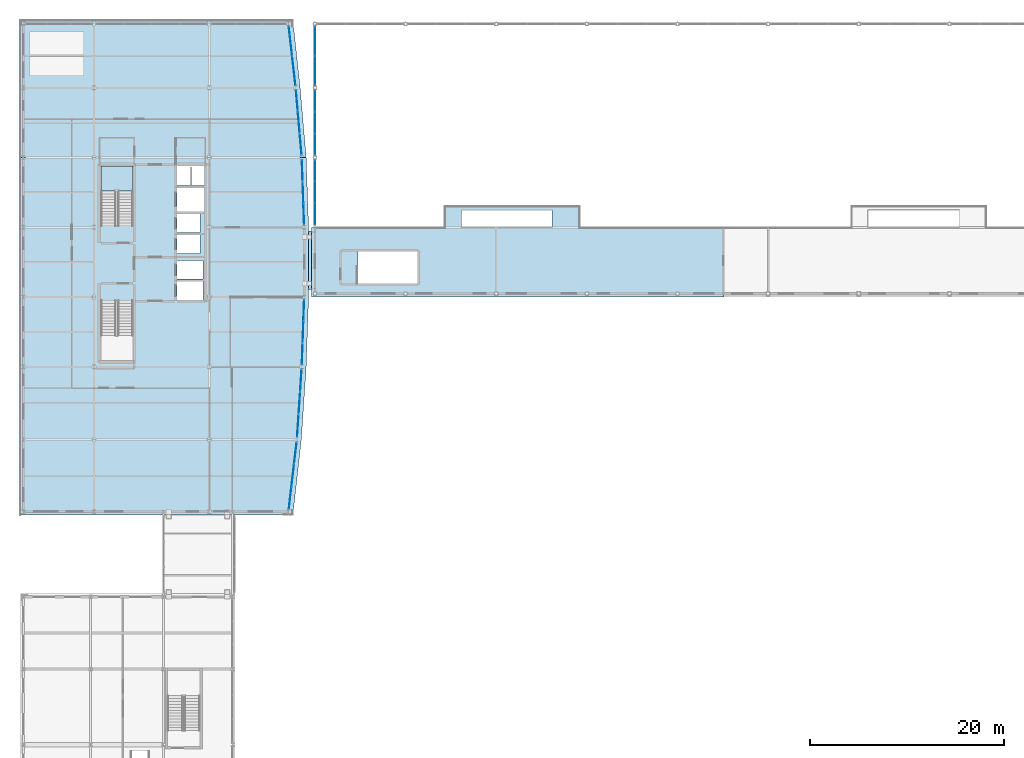
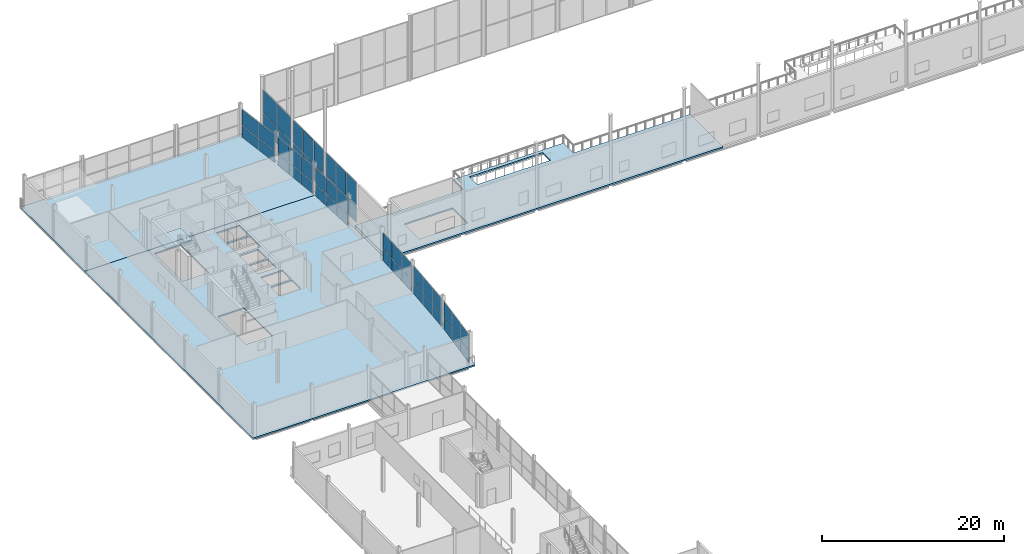
# One storey, part 55 of 77: 50 plates, 5 slabs, 10 elements without a shape of their own.
"""IFC4 building model written with IfcOpenShell, lengths in metres."""

import ifcopenshell
import ifcopenshell.guid

model = None  # the IFC model being written
_history = None  # IfcOwnerHistory: only IFC2X3 demands one
_inside = {}  # id of a spatial element -> (the spatial element, [elements in it])
_under = {}  # id of a project, library or spatial element -> (it, [spatial elements below it])
_declared = {}  # id of a project -> (the project, [libraries it declares])
_typed = {}  # id of a type object -> (the type object, [elements of that type])
_made_of = {}  # id of a material, layer set ... -> (it, [elements and type objects made of it])


def new_model(schema):
    """Start an empty IFC model of exactly this schema.

    Asked for "IFC4X3", IfcOpenShell would pick the latest addendum, in which some entities
    have other attributes; the version numbers below select the first issue.
    IFC2X3 requires an IfcOwnerHistory on every rooted entity: one is made here for all.
    """
    global model, _history
    if schema == "IFC4X3":
        model = ifcopenshell.file(schema_version=(4, 3, 0, 0))
    else:
        model = ifcopenshell.file(schema=schema)
    _inside.clear()
    _under.clear()
    _declared.clear()
    _typed.clear()
    _made_of.clear()
    _history = None
    if model.schema == "IFC2X3":
        org = make("IfcOrganization", Name="unknown")
        user = make(
            "IfcPersonAndOrganization",
            ThePerson=make("IfcPerson", FamilyName="unknown"),
            TheOrganization=org,
        )
        app = make(
            "IfcApplication",
            ApplicationDeveloper=org,
            Version="unknown",
            ApplicationFullName="unknown",
            ApplicationIdentifier="unknown",
        )
        _history = make(
            "IfcOwnerHistory",
            OwningUser=user,
            OwningApplication=app,
            ChangeAction="ADDED",
            CreationDate=0,
        )
    return model


def make(cls, **values):
    """One entity of the class cls with the attributes given. An attribute that is None is left unset."""
    return model.create_entity(
        cls, **{name: value for name, value in values.items() if value is not None}
    )


def rooted(cls, **values):
    """An entity with a GlobalId (a new one), such as an element, a storey or a relation."""
    return make(cls, GlobalId=ifcopenshell.guid.new(), OwnerHistory=_history, **values)


def si_unit(unit_type, name, prefix=None):
    """IfcSIUnit, for example si_unit("LENGTHUNIT", "METRE", prefix="MILLI")."""
    return make("IfcSIUnit", UnitType=unit_type, Prefix=prefix, Name=name)


def assignment(units):
    """IfcUnitAssignment: the units of a project."""
    return None if units is None else make("IfcUnitAssignment", Units=units)


def point(xyz):
    """IfcCartesianPoint."""
    return None if xyz is None else make("IfcCartesianPoint", Coordinates=xyz)


def direction(xyz):
    """IfcDirection."""
    return None if xyz is None else make("IfcDirection", DirectionRatios=xyz)


def frame(location, z_axis=None, x_axis=None):
    """IfcAxis2Placement3D, a coordinate frame: its origin and axes. An axis left out is left unset."""
    return make(
        "IfcAxis2Placement3D",
        Location=point(location),
        Axis=direction(z_axis),
        RefDirection=direction(x_axis),
    )


def frame_2d(location, x_axis=None):
    """IfcAxis2Placement2D, a coordinate frame in the plane: its origin and x axis."""
    return make(
        "IfcAxis2Placement2D", Location=point(location), RefDirection=direction(x_axis)
    )


def origin():
    """The frame at (0, 0, 0) with its axes left unset."""
    return frame((0.0, 0.0, 0.0))


def origin_2d():
    """The frame at (0, 0) in the plane with its x axis left unset."""
    return frame_2d((0.0, 0.0))


def place(relative_to, where):
    """IfcLocalPlacement: puts the frame where relative to a parent placement (None: the world)."""
    return make(
        "IfcLocalPlacement", PlacementRelTo=relative_to, RelativePlacement=where
    )


def context(
    kind, dimensions, precision=None, world=None, true_north=None, identifier=None
):
    """IfcGeometricRepresentationContext, for example the 3D "Model" context."""
    return make(
        "IfcGeometricRepresentationContext",
        ContextIdentifier=identifier,
        ContextType=kind,
        CoordinateSpaceDimension=dimensions,
        Precision=precision,
        WorldCoordinateSystem=world,
        TrueNorth=true_north,
    )


def subcontext(parent, identifier, kind, view, scale=None):
    """IfcGeometricRepresentationSubContext, for example "Body" below "Model"."""
    return make(
        "IfcGeometricRepresentationSubContext",
        ContextIdentifier=identifier,
        ContextType=kind,
        ParentContext=parent,
        TargetScale=scale,
        TargetView=view,
    )


def project(units=None, contexts=None):
    """IfcProject with its units and contexts."""
    return rooted(
        "IfcProject",
        Name="project",
        RepresentationContexts=contexts,
        UnitsInContext=assignment(units),
    )


def spatial(cls, under=None, at=None, **own):
    """A site, building, storey or space (cls), placed at a placement, below another one or the project."""
    s = rooted(cls, ObjectPlacement=at, **own)
    if under is not None:
        _under.setdefault(under.id(), (under, []))[1].append(s)
    return s


def polyline(points):
    """IfcPolyline through the points."""
    return make("IfcPolyline", Points=[point(p) for p in points])


def profile(cls, at=None, kind="AREA", **sizes):
    """A parametric profile (cls). Its sizes go by their IFC names, for example OverallWidth=200.0."""
    return make(cls, ProfileType=kind, Position=at, **sizes)


def rectangle(**sizes):
    """IfcRectangleProfileDef."""
    return profile("IfcRectangleProfileDef", **sizes)


def outline(outer, holes=None, kind="AREA"):
    """IfcArbitraryClosedProfileDef: a profile drawn as a closed curve; with holes, ...WithVoids."""
    if holes is None:
        return make("IfcArbitraryClosedProfileDef", ProfileType=kind, OuterCurve=outer)
    return make(
        "IfcArbitraryProfileDefWithVoids",
        ProfileType=kind,
        OuterCurve=outer,
        InnerCurves=holes,
    )


def extrude(swept, where, along, depth):
    """IfcExtrudedAreaSolid: the profile swept, set in the frame where, extruded along a direction by depth."""
    return make(
        "IfcExtrudedAreaSolid",
        SweptArea=swept,
        Position=where,
        ExtrudedDirection=direction(along),
        Depth=depth,
    )


def shape(context_of_items, identifier, shape_type, items):
    """IfcShapeRepresentation: the items that make up one representation, for example the "Body"."""
    return make(
        "IfcShapeRepresentation",
        ContextOfItems=context_of_items,
        RepresentationIdentifier=identifier,
        RepresentationType=shape_type,
        Items=items,
    )


def material(Name=None, Category=None):
    """IfcMaterial."""
    return make("IfcMaterial", Name=Name, Category=Category)


def layer(
    of_material, thickness, ventilated=None, Name=None, Category=None, Priority=None
):
    """IfcMaterialLayer: one layer of a wall or slab, of a material (None: an air gap)."""
    return make(
        "IfcMaterialLayer",
        Material=of_material,
        LayerThickness=thickness,
        IsVentilated=ventilated,
        Name=Name,
        Category=Category,
        Priority=Priority,
    )


def layer_set(layers, Name=None):
    """IfcMaterialLayerSet."""
    return make("IfcMaterialLayerSet", MaterialLayers=layers, LayerSetName=Name)


def made_of(thing, what):
    """Note that an element or type object is made of a material, layer set ...; save() writes the relation."""
    if what is not None:
        _made_of.setdefault(what.id(), (what, []))[1].append(thing)
    return thing


def type_object(cls, material=None, **own):
    """A type object (cls), such as IfcWallType, which elements share."""
    return made_of(rooted(cls, **own), material)


def element(
    cls,
    number,
    at=None,
    inside=None,
    cuts=None,
    type_object=None,
    material=None,
    context=None,
    identifier="Body",
    shape_type=None,
    held_by="IfcProductDefinitionShape",
    body=None,
    shapes=None,
    **own,
):
    """One element of the class cls, such as IfcWall. Its Tag is "e" and its number.

    at: its placement. inside: the storey or other place that contains it. cuts: it is an
    opening in that element (IfcRelVoidsElement). A single representation is given by context,
    identifier, shape_type and body (its items); several are given by shapes. held_by: the class
    of the entity that holds the representations. save() writes the other relations.
    """
    e = rooted(cls, Tag="e%d" % number, ObjectPlacement=at, **own)
    if body is not None:
        shapes = [shape(context, identifier, shape_type, body)]
    if shapes is not None:
        e.Representation = make(held_by, Representations=shapes)
    if inside is not None:
        _inside.setdefault(inside.id(), (inside, []))[1].append(e)
    if cuts is not None:
        rooted(
            "IfcRelVoidsElement", RelatingBuildingElement=cuts, RelatedOpeningElement=e
        )
    if type_object is not None:
        _typed.setdefault(type_object.id(), (type_object, []))[1].append(e)
    return made_of(e, material)


def aggregate(whole, parts):
    """IfcRelAggregates: a whole, such as a stair, and the parts it consists of."""
    return rooted("IfcRelAggregates", RelatingObject=whole, RelatedObjects=parts)


def save(model, path):
    """Write the relations noted so far, then the file.

    IfcRelAggregates (storeys below a building ...), IfcRelContainedInSpatialStructure (elements
    in a storey), IfcRelDefinesByType, IfcRelAssociatesMaterial and IfcRelDeclares: one each for
    every whole, place, type object, material and project.
    """
    for whole, parts in _under.values():
        aggregate(whole, parts)
    for where, things in _inside.values():
        rooted(
            "IfcRelContainedInSpatialStructure",
            RelatedElements=things,
            RelatingStructure=where,
        )
    for kind, things in _typed.values():
        rooted("IfcRelDefinesByType", RelatedObjects=things, RelatingType=kind)
    for what, things in _made_of.values():
        rooted("IfcRelAssociatesMaterial", RelatedObjects=things, RelatingMaterial=what)
    for by, libraries in _declared.values():
        rooted("IfcRelDeclares", RelatingContext=by, RelatedDefinitions=libraries)
    model.write(path)


model = new_model("IFC4")

# Units and contexts
model_context = context("Model", 3, precision=1e-05, world=origin(), true_north=direction((0.0, 1.0)))
body_context = subcontext(model_context, "Body", "Model", "MODEL_VIEW")
ifc_project = project(units=[si_unit("LENGTHUNIT", "METRE"), si_unit("AREAUNIT", "SQUARE_METRE"), si_unit("VOLUMEUNIT", "CUBIC_METRE"), si_unit("PLANEANGLEUNIT", "RADIAN"), si_unit("MASSUNIT", "GRAM", prefix="KILO")], contexts=[model_context])

# Site, building, storey
site_placement = place(None, origin())
site = spatial("IfcSite", under=ifc_project, at=site_placement, CompositionType="ELEMENT")
building_placement = place(site_placement, origin())
building = spatial("IfcBuilding", under=site, at=building_placement, Name="Quillay Park Conservatory", CompositionType="ELEMENT")
storey_placement = place(building_placement, frame((0.0, 0.0, 5.39990234375)))
storey = spatial("IfcBuildingStorey", under=building, at=storey_placement, Name="L01", CompositionType="ELEMENT", Elevation=5.39990234375)

# Curtain wall, plates
ifc_material_1 = material(Name="Thermally Broken Anodised Aluminium 6063-T6", Category="aluminium")
ifc_layer_1 = layer(ifc_material_1, 0.179931640625)
ifc_layer_set_1 = layer_set([ifc_layer_1], Name="UNITISED CURTAIN WALL TOWER (Thermally Broken Anodised Aluminium 6063-T6)")
curtain_wall_type_1 = type_object("IfcCurtainWallType", Name="UNITISED CURTAIN WALL TOWER", PredefinedType="USERDEFINED", material=ifc_layer_set_1)
curtain_wall_1_placement = place(storey_placement, origin())
curtain_wall_1 = element("IfcCurtainWall", 1, at=curtain_wall_1_placement, inside=storey, type_object=curtain_wall_type_1, Name="L01 Unitised Curtain Wall 010", ObjectType="UNITISED CURTAIN WALL", PredefinedType="USERDEFINED")
ifc_material_2 = material(Name="Low-E Double Glazing (Laminated Tempered)", Category="glass")
ifc_layer_2 = layer(ifc_material_2, 0.028076171875)
ifc_layer_set_2 = layer_set([ifc_layer_2], Name="CURTAIN WALL GLAZED PANEL 28 (Low-E Double Glazing (Laminated Tempered))")
plate_type_1 = type_object("IfcPlateType", Name="CURTAIN WALL GLAZED PANEL 28", PredefinedType="CURTAIN_PANEL", material=ifc_layer_set_2)
plate_1_placement = place(storey_placement, frame((28.636474609375, 69.108642578125, 0.06982421875), z_axis=(0.0, 0.0, 1.0), x_axis=(-0.116654959918, -0.993172502804, 0.0)))
plate_1 = element("IfcPlate", 2, at=plate_1_placement, type_object=plate_type_1, Name="CW-T1 panel 1.1", PredefinedType="CURTAIN_PANEL", context=body_context, shape_type="SweptSolid", body=[
    extrude(rectangle(XDim=2.26220703125, YDim=0.028076171875, at=origin_2d()), origin(), (0.0, 0.0, 1.0), 1.515869140625),
])
plate_2_placement = place(storey_placement, frame((28.636474609375, 69.108642578125, 1.65576171875), z_axis=(0.0, 0.0, 1.0), x_axis=(-0.116654959918, -0.993172502804, 0.0)))
plate_2 = element("IfcPlate", 3, at=plate_2_placement, type_object=plate_type_1, Name="CW-T1 panel 1.2", PredefinedType="CURTAIN_PANEL", context=body_context, shape_type="SweptSolid", body=[
    extrude(rectangle(XDim=2.26220703125, YDim=0.028076171875, at=origin_2d()), origin(), (0.0, 0.0, 1.0), 2.13330078125),
])
plate_3_placement = place(storey_placement, frame((28.362548828125, 66.77490234375, 0.06982421875), z_axis=(0.0, 0.0, 1.0), x_axis=(-0.116654959918, -0.993172502804, 0.0)))
plate_3 = element("IfcPlate", 4, at=plate_3_placement, type_object=plate_type_1, Name="CW-T1 panel 2.1", PredefinedType="CURTAIN_PANEL", context=body_context, shape_type="SweptSolid", body=[
    extrude(rectangle(XDim=2.297119140625, YDim=0.028076171875, at=origin_2d()), origin(), (0.0, 0.0, 1.0), 1.515869140625),
])
plate_4_placement = place(storey_placement, frame((28.362548828125, 66.77490234375, 1.65576171875), z_axis=(0.0, 0.0, 1.0), x_axis=(-0.116654959918, -0.993172502804, 0.0)))
plate_4 = element("IfcPlate", 5, at=plate_4_placement, type_object=plate_type_1, Name="CW-T1 panel 2.2", PredefinedType="CURTAIN_PANEL", context=body_context, shape_type="SweptSolid", body=[
    extrude(rectangle(XDim=2.297119140625, YDim=0.028076171875, at=origin_2d()), origin(), (0.0, 0.0, 1.0), 2.13330078125),
])
plate_5_placement = place(storey_placement, frame((28.08837890625, 64.44140625, 0.06982421875), z_axis=(0.0, 0.0, 1.0), x_axis=(-0.116654959918, -0.993172502804, 0.0)))
plate_5 = element("IfcPlate", 6, at=plate_5_placement, type_object=plate_type_1, Name="CW-T1 panel 3.1", PredefinedType="CURTAIN_PANEL", context=body_context, shape_type="SweptSolid", body=[
    extrude(rectangle(XDim=2.26220703125, YDim=0.028076171875, at=origin_2d()), origin(), (0.0, 0.0, 1.0), 1.515869140625),
])
plate_6_placement = place(storey_placement, frame((28.08837890625, 64.44140625, 1.65576171875), z_axis=(0.0, 0.0, 1.0), x_axis=(-0.116654959918, -0.993172502804, 0.0)))
plate_6 = element("IfcPlate", 7, at=plate_6_placement, type_object=plate_type_1, Name="CW-T1 panel 3.2", PredefinedType="CURTAIN_PANEL", context=body_context, shape_type="SweptSolid", body=[
    extrude(rectangle(XDim=2.26220703125, YDim=0.028076171875, at=origin_2d()), origin(), (0.0, 0.0, 1.0), 2.13330078125),
])
aggregate(curtain_wall_1, [plate_1, plate_2, plate_3, plate_4, plate_5, plate_6])

curtain_wall_2_placement = place(storey_placement, origin())
curtain_wall_2 = element("IfcCurtainWall", 8, at=curtain_wall_2_placement, inside=storey, type_object=curtain_wall_type_1, Name="L01 Unitised Curtain Wall 011", ObjectType="UNITISED CURTAIN WALL", PredefinedType="USERDEFINED")
plate_7_placement = place(storey_placement, frame((29.20654296875, 76.599365234375, 0.06982421875), z_axis=(0.0, 0.0, 1.0), x_axis=(-0.0665208758, -0.997785033503, 0.0)))
plate_7 = element("IfcPlate", 9, at=plate_7_placement, type_object=plate_type_1, Name="CW-T1 panel 1.1", PredefinedType="CURTAIN_PANEL", context=body_context, shape_type="SweptSolid", body=[
    extrude(rectangle(XDim=2.26708984375, YDim=0.028076171875, at=origin_2d()), origin(), (0.0, 0.0, 1.0), 1.515869140625),
])
plate_8_placement = place(storey_placement, frame((29.20654296875, 76.599365234375, 1.65576171875), z_axis=(0.0, 0.0, 1.0), x_axis=(-0.0665208758, -0.997785033503, 0.0)))
plate_8 = element("IfcPlate", 10, at=plate_8_placement, type_object=plate_type_1, Name="CW-T1 panel 1.2", PredefinedType="CURTAIN_PANEL", context=body_context, shape_type="SweptSolid", body=[
    extrude(rectangle(XDim=2.26708984375, YDim=0.028076171875, at=origin_2d()), origin(), (0.0, 0.0, 1.0), 2.13330078125),
])
plate_9_placement = place(storey_placement, frame((29.050048828125, 74.25, 0.06982421875), z_axis=(0.0, 0.0, 1.0), x_axis=(-0.0665208758, -0.997785033503, 0.0)))
plate_9 = element("IfcPlate", 11, at=plate_9_placement, type_object=plate_type_1, Name="CW-T1 panel 2.1", PredefinedType="CURTAIN_PANEL", context=body_context, shape_type="SweptSolid", body=[
    extrude(rectangle(XDim=2.30224609375, YDim=0.028076171875, at=origin_2d()), origin(), (0.0, 0.0, 1.0), 1.515869140625),
])
plate_10_placement = place(storey_placement, frame((29.050048828125, 74.25, 1.65576171875), z_axis=(0.0, 0.0, 1.0), x_axis=(-0.0665208758, -0.997785033503, 0.0)))
plate_10 = element("IfcPlate", 12, at=plate_10_placement, type_object=plate_type_1, Name="CW-T1 panel 2.2", PredefinedType="CURTAIN_PANEL", context=body_context, shape_type="SweptSolid", body=[
    extrude(rectangle(XDim=2.30224609375, YDim=0.028076171875, at=origin_2d()), origin(), (0.0, 0.0, 1.0), 2.13330078125),
])
plate_11_placement = place(storey_placement, frame((28.893310546875, 71.900634765625, 0.06982421875), z_axis=(0.0, 0.0, 1.0), x_axis=(-0.0665208758, -0.997785033503, 0.0)))
plate_11 = element("IfcPlate", 13, at=plate_11_placement, type_object=plate_type_1, Name="CW-T1 panel 3.1", PredefinedType="CURTAIN_PANEL", context=body_context, shape_type="SweptSolid", body=[
    extrude(rectangle(XDim=2.26708984375, YDim=0.028076171875, at=origin_2d()), origin(), (0.0, 0.0, 1.0), 1.515869140625),
])
plate_12_placement = place(storey_placement, frame((28.893310546875, 71.900634765625, 1.65576171875), z_axis=(0.0, 0.0, 1.0), x_axis=(-0.0665208758, -0.997785033503, 0.0)))
plate_12 = element("IfcPlate", 14, at=plate_12_placement, type_object=plate_type_1, Name="CW-T1 panel 3.2", PredefinedType="CURTAIN_PANEL", context=body_context, shape_type="SweptSolid", body=[
    extrude(rectangle(XDim=2.26708984375, YDim=0.028076171875, at=origin_2d()), origin(), (0.0, 0.0, 1.0), 2.13330078125),
])
aggregate(curtain_wall_2, [plate_7, plate_8, plate_9, plate_10, plate_11, plate_12])

curtain_wall_3_placement = place(storey_placement, origin())
curtain_wall_3 = element("IfcCurtainWall", 15, at=curtain_wall_3_placement, inside=storey, type_object=curtain_wall_type_1, Name="L01 Unitised Curtain Wall 012", ObjectType="UNITISED CURTAIN WALL", PredefinedType="USERDEFINED")
plate_13_placement = place(storey_placement, frame((29.503173828125, 83.849365234375, 0.06982421875), z_axis=(0.0, 0.0, 1.0), x_axis=(-0.034713338537, -0.999397310446, 0.0)))
plate_13 = element("IfcPlate", 16, at=plate_13_placement, type_object=plate_type_1, Name="CW-T1 panel 1.1", PredefinedType="CURTAIN_PANEL", context=body_context, shape_type="SweptSolid", body=[
    extrude(rectangle(XDim=2.1630859375, YDim=0.028076171875, at=origin_2d()), origin(), (0.0, 0.0, 1.0), 1.515869140625),
])
plate_14_placement = place(storey_placement, frame((29.503173828125, 83.849365234375, 1.65576171875), z_axis=(0.0, 0.0, 1.0), x_axis=(-0.034713338537, -0.999397310446, 0.0)))
plate_14 = element("IfcPlate", 17, at=plate_14_placement, type_object=plate_type_1, Name="CW-T1 panel 1.2", PredefinedType="CURTAIN_PANEL", context=body_context, shape_type="SweptSolid", body=[
    extrude(rectangle(XDim=2.1630859375, YDim=0.028076171875, at=origin_2d()), origin(), (0.0, 0.0, 1.0), 2.13330078125),
])
plate_15_placement = place(storey_placement, frame((29.425048828125, 81.60009765625, 0.06982421875), z_axis=(0.0, 0.0, 1.0), x_axis=(-0.034713338537, -0.999397310446, 0.0)))
plate_15 = element("IfcPlate", 18, at=plate_15_placement, type_object=plate_type_1, Name="CW-T1 panel 2.1", PredefinedType="CURTAIN_PANEL", context=body_context, shape_type="SweptSolid", body=[
    extrude(rectangle(XDim=2.197998046875, YDim=0.028076171875, at=origin_2d()), origin(), (0.0, 0.0, 1.0), 1.515869140625),
])
plate_16_placement = place(storey_placement, frame((29.425048828125, 81.60009765625, 1.65576171875), z_axis=(0.0, 0.0, 1.0), x_axis=(-0.034713338537, -0.999397310446, 0.0)))
plate_16 = element("IfcPlate", 19, at=plate_16_placement, type_object=plate_type_1, Name="CW-T1 panel 2.2", PredefinedType="CURTAIN_PANEL", context=body_context, shape_type="SweptSolid", body=[
    extrude(rectangle(XDim=2.197998046875, YDim=0.028076171875, at=origin_2d()), origin(), (0.0, 0.0, 1.0), 2.13330078125),
])
plate_17_placement = place(storey_placement, frame((29.346923828125, 79.350830078125, 0.06982421875), z_axis=(0.0, 0.0, 1.0), x_axis=(-0.034713338537, -0.999397310446, 0.0)))
plate_17 = element("IfcPlate", 20, at=plate_17_placement, type_object=plate_type_1, Name="CW-T1 panel 3.1", PredefinedType="CURTAIN_PANEL", context=body_context, shape_type="SweptSolid", body=[
    extrude(rectangle(XDim=2.1630859375, YDim=0.028076171875, at=origin_2d()), origin(), (0.0, 0.0, 1.0), 1.515869140625),
])
plate_18_placement = place(storey_placement, frame((29.346923828125, 79.350830078125, 1.65576171875), z_axis=(0.0, 0.0, 1.0), x_axis=(-0.034713338537, -0.999397310446, 0.0)))
plate_18 = element("IfcPlate", 21, at=plate_18_placement, type_object=plate_type_1, Name="CW-T1 panel 3.2", PredefinedType="CURTAIN_PANEL", context=body_context, shape_type="SweptSolid", body=[
    extrude(rectangle(XDim=2.1630859375, YDim=0.028076171875, at=origin_2d()), origin(), (0.0, 0.0, 1.0), 2.13330078125),
])
aggregate(curtain_wall_3, [plate_13, plate_14, plate_15, plate_16, plate_17, plate_18])

curtain_wall_4_placement = place(storey_placement, origin())
curtain_wall_4 = element("IfcCurtainWall", 22, at=curtain_wall_4_placement, inside=storey, type_object=curtain_wall_type_1, Name="L01 Unitised Curtain Wall 013", ObjectType="UNITISED CURTAIN WALL", PredefinedType="USERDEFINED")
plate_19_placement = place(storey_placement, frame((29.346923828125, 98.249267578125, 0.06982421875), z_axis=(0.0, 0.0, 1.0), x_axis=(0.034713338537, -0.999397310446, 0.0)))
plate_19 = element("IfcPlate", 23, at=plate_19_placement, type_object=plate_type_1, Name="CW-T1 panel 1.1", PredefinedType="CURTAIN_PANEL", context=body_context, shape_type="SweptSolid", body=[
    extrude(rectangle(XDim=2.1630859375, YDim=0.028076171875, at=origin_2d()), origin(), (0.0, 0.0, 1.0), 1.515869140625),
])
plate_20_placement = place(storey_placement, frame((29.346923828125, 98.249267578125, 1.65576171875), z_axis=(0.0, 0.0, 1.0), x_axis=(0.034713338537, -0.999397310446, 0.0)))
plate_20 = element("IfcPlate", 24, at=plate_20_placement, type_object=plate_type_1, Name="CW-T1 panel 1.2", PredefinedType="CURTAIN_PANEL", context=body_context, shape_type="SweptSolid", body=[
    extrude(rectangle(XDim=2.1630859375, YDim=0.028076171875, at=origin_2d()), origin(), (0.0, 0.0, 1.0), 2.13330078125),
])
plate_21_placement = place(storey_placement, frame((29.425048828125, 96.0, 0.06982421875), z_axis=(0.0, 0.0, 1.0), x_axis=(0.034713338537, -0.999397310446, 0.0)))
plate_21 = element("IfcPlate", 25, at=plate_21_placement, type_object=plate_type_1, Name="CW-T1 panel 2.1", PredefinedType="CURTAIN_PANEL", context=body_context, shape_type="SweptSolid", body=[
    extrude(rectangle(XDim=2.197998046875, YDim=0.028076171875, at=origin_2d()), origin(), (0.0, 0.0, 1.0), 1.515869140625),
])
plate_22_placement = place(storey_placement, frame((29.425048828125, 96.0, 1.65576171875), z_axis=(0.0, 0.0, 1.0), x_axis=(0.034713338537, -0.999397310446, 0.0)))
plate_22 = element("IfcPlate", 26, at=plate_22_placement, type_object=plate_type_1, Name="CW-T1 panel 2.2", PredefinedType="CURTAIN_PANEL", context=body_context, shape_type="SweptSolid", body=[
    extrude(rectangle(XDim=2.197998046875, YDim=0.028076171875, at=origin_2d()), origin(), (0.0, 0.0, 1.0), 2.13330078125),
])
plate_23_placement = place(storey_placement, frame((29.503173828125, 93.750732421875, 0.06982421875), z_axis=(0.0, 0.0, 1.0), x_axis=(0.034713338537, -0.999397310446, 0.0)))
plate_23 = element("IfcPlate", 27, at=plate_23_placement, type_object=plate_type_1, Name="CW-T1 panel 3.1", PredefinedType="CURTAIN_PANEL", context=body_context, shape_type="SweptSolid", body=[
    extrude(rectangle(XDim=2.1630859375, YDim=0.028076171875, at=origin_2d()), origin(), (0.0, 0.0, 1.0), 1.515869140625),
])
plate_24_placement = place(storey_placement, frame((29.503173828125, 93.750732421875, 1.65576171875), z_axis=(0.0, 0.0, 1.0), x_axis=(0.034713338537, -0.999397310446, 0.0)))
plate_24 = element("IfcPlate", 28, at=plate_24_placement, type_object=plate_type_1, Name="CW-T1 panel 3.2", PredefinedType="CURTAIN_PANEL", context=body_context, shape_type="SweptSolid", body=[
    extrude(rectangle(XDim=2.1630859375, YDim=0.028076171875, at=origin_2d()), origin(), (0.0, 0.0, 1.0), 2.13330078125),
])
aggregate(curtain_wall_4, [plate_19, plate_20, plate_21, plate_22, plate_23, plate_24])

curtain_wall_5_placement = place(storey_placement, origin())
curtain_wall_5 = element("IfcCurtainWall", 29, at=curtain_wall_5_placement, inside=storey, type_object=curtain_wall_type_1, Name="L01 Unitised Curtain Wall 014", ObjectType="UNITISED CURTAIN WALL", PredefinedType="USERDEFINED")
plate_25_placement = place(storey_placement, frame((28.792236328125, 105.44970703125, 0.06982421875), z_axis=(0.0, 0.0, 1.0), x_axis=(0.086480444465, -0.996253548413, 0.0)))
plate_25 = element("IfcPlate", 30, at=plate_25_placement, type_object=plate_type_1, Name="CW-T1 panel 1.1", PredefinedType="CURTAIN_PANEL", context=body_context, shape_type="SweptSolid", body=[
    extrude(rectangle(XDim=2.170654296875, YDim=0.028076171875, at=origin_2d()), origin(), (0.0, 0.0, 1.0), 1.515869140625),
])
plate_26_placement = place(storey_placement, frame((28.792236328125, 105.44970703125, 1.65576171875), z_axis=(0.0, 0.0, 1.0), x_axis=(0.086480444465, -0.996253548413, 0.0)))
plate_26 = element("IfcPlate", 31, at=plate_26_placement, type_object=plate_type_1, Name="CW-T1 panel 1.2", PredefinedType="CURTAIN_PANEL", context=body_context, shape_type="SweptSolid", body=[
    extrude(rectangle(XDim=2.170654296875, YDim=0.028076171875, at=origin_2d()), origin(), (0.0, 0.0, 1.0), 2.13330078125),
])
plate_27_placement = place(storey_placement, frame((28.987548828125, 103.199951171875, 0.06982421875), z_axis=(0.0, 0.0, 1.0), x_axis=(0.086480444465, -0.996253548413, 0.0)))
plate_27 = element("IfcPlate", 32, at=plate_27_placement, type_object=plate_type_1, Name="CW-T1 panel 2.1", PredefinedType="CURTAIN_PANEL", context=body_context, shape_type="SweptSolid", body=[
    extrude(rectangle(XDim=2.20556640625, YDim=0.028076171875, at=origin_2d()), origin(), (0.0, 0.0, 1.0), 1.515869140625),
])
plate_28_placement = place(storey_placement, frame((28.987548828125, 103.199951171875, 1.65576171875), z_axis=(0.0, 0.0, 1.0), x_axis=(0.086480444465, -0.996253548413, 0.0)))
plate_28 = element("IfcPlate", 33, at=plate_28_placement, type_object=plate_type_1, Name="CW-T1 panel 2.2", PredefinedType="CURTAIN_PANEL", context=body_context, shape_type="SweptSolid", body=[
    extrude(rectangle(XDim=2.20556640625, YDim=0.028076171875, at=origin_2d()), origin(), (0.0, 0.0, 1.0), 2.13330078125),
])
plate_29_placement = place(storey_placement, frame((29.182861328125, 100.9501953125, 0.06982421875), z_axis=(0.0, 0.0, 1.0), x_axis=(0.086480444465, -0.996253548413, 0.0)))
plate_29 = element("IfcPlate", 34, at=plate_29_placement, type_object=plate_type_1, Name="CW-T1 panel 3.1", PredefinedType="CURTAIN_PANEL", context=body_context, shape_type="SweptSolid", body=[
    extrude(rectangle(XDim=2.170654296875, YDim=0.028076171875, at=origin_2d()), origin(), (0.0, 0.0, 1.0), 1.515869140625),
])
plate_30_placement = place(storey_placement, frame((29.182861328125, 100.9501953125, 1.65576171875), z_axis=(0.0, 0.0, 1.0), x_axis=(0.086480444465, -0.996253548413, 0.0)))
plate_30 = element("IfcPlate", 35, at=plate_30_placement, type_object=plate_type_1, Name="CW-T1 panel 3.2", PredefinedType="CURTAIN_PANEL", context=body_context, shape_type="SweptSolid", body=[
    extrude(rectangle(XDim=2.170654296875, YDim=0.028076171875, at=origin_2d()), origin(), (0.0, 0.0, 1.0), 2.13330078125),
])
aggregate(curtain_wall_5, [plate_25, plate_26, plate_27, plate_28, plate_29, plate_30])

curtain_wall_6_placement = place(storey_placement, origin())
curtain_wall_6 = element("IfcCurtainWall", 36, at=curtain_wall_6_placement, inside=storey, type_object=curtain_wall_type_1, Name="L01 Unitised Curtain Wall 015", ObjectType="UNITISED CURTAIN WALL", PredefinedType="USERDEFINED")
plate_31_placement = place(storey_placement, frame((28.125732421875, 111.63330078125, 0.06982421875), z_axis=(0.0, 0.0, 1.0), x_axis=(0.112903218278, -0.993605989969, 0.0)))
plate_31 = element("IfcPlate", 37, at=plate_31_placement, type_object=plate_type_1, Name="CW-T1 panel 1.1", PredefinedType="CURTAIN_PANEL", context=body_context, shape_type="SweptSolid", body=[
    extrude(rectangle(XDim=3.016357421875, YDim=0.028076171875, at=origin_2d()), origin(), (0.0, 0.0, 1.0), 1.515869140625),
])
plate_32_placement = place(storey_placement, frame((28.125732421875, 111.63330078125, 1.65576171875), z_axis=(0.0, 0.0, 1.0), x_axis=(0.112903218278, -0.993605989969, 0.0)))
plate_32 = element("IfcPlate", 38, at=plate_32_placement, type_object=plate_type_1, Name="CW-T1 panel 1.2", PredefinedType="CURTAIN_PANEL", context=body_context, shape_type="SweptSolid", body=[
    extrude(rectangle(XDim=3.016357421875, YDim=0.028076171875, at=origin_2d()), origin(), (0.0, 0.0, 1.0), 2.13330078125),
])
plate_33_placement = place(storey_placement, frame((28.47412109375, 108.566650390625, 0.06982421875), z_axis=(0.0, 0.0, 1.0), x_axis=(0.112903218278, -0.993605989969, 0.0)))
plate_33 = element("IfcPlate", 39, at=plate_33_placement, type_object=plate_type_1, Name="CW-T1 panel 2.1", PredefinedType="CURTAIN_PANEL", context=body_context, shape_type="SweptSolid", body=[
    extrude(rectangle(XDim=3.016357421875, YDim=0.028076171875, at=origin_2d()), origin(), (0.0, 0.0, 1.0), 1.515869140625),
])
plate_34_placement = place(storey_placement, frame((28.47412109375, 108.566650390625, 1.65576171875), z_axis=(0.0, 0.0, 1.0), x_axis=(0.112903218278, -0.993605989969, 0.0)))
plate_34 = element("IfcPlate", 40, at=plate_34_placement, type_object=plate_type_1, Name="CW-T1 panel 2.2", PredefinedType="CURTAIN_PANEL", context=body_context, shape_type="SweptSolid", body=[
    extrude(rectangle(XDim=3.016357421875, YDim=0.028076171875, at=origin_2d()), origin(), (0.0, 0.0, 1.0), 2.13330078125),
])
aggregate(curtain_wall_6, [plate_31, plate_32, plate_33, plate_34])

ifc_material_3 = material(Name="Thermally Broken Anodised Aluminium 6063-T6", Category="aluminium")
ifc_layer_3 = layer(ifc_material_3, 0.219970703125)
ifc_layer_set_3 = layer_set([ifc_layer_3], Name="UNITISED CURTAIN WALL CONSERVATORY (Thermally Broken Anodised Aluminium 6063-T6)")
curtain_wall_type_2 = type_object("IfcCurtainWallType", Name="UNITISED CURTAIN WALL CONSERVATORY", PredefinedType="USERDEFINED", material=ifc_layer_set_3)
curtain_wall_7_placement = place(storey_placement, origin())
curtain_wall_7 = element("IfcCurtainWall", 41, at=curtain_wall_7_placement, inside=storey, type_object=curtain_wall_type_2, Name="L01 Unitised Curtain Wall 164", ObjectType="UNITISED CURTAIN WALL", PredefinedType="USERDEFINED")
ifc_material_4 = material(Name="Low-Iron Laminated Insulated Glazing", Category="glass")
ifc_layer_4 = layer(ifc_material_4, 0.031982421875)
ifc_layer_set_4 = layer_set([ifc_layer_4], Name="CURTAIN WALL GLAZED PANEL 32 (Low-Iron Laminated Insulated Glazing)")
plate_type_2 = type_object("IfcPlateType", Name="CURTAIN WALL GLAZED PANEL 32", PredefinedType="CURTAIN_PANEL", material=ifc_layer_set_4)
plate_35_placement = place(storey_placement, frame((30.64990234375, 93.752197265625, 0.070068359375), z_axis=(0.0, 0.0, 1.0), x_axis=(0.0, 1.0, 0.0)))
plate_35 = element("IfcPlate", 42, at=plate_35_placement, type_object=plate_type_2, Name="CW-C1 panel 1.1", PredefinedType="CURTAIN_PANEL", context=body_context, shape_type="SweptSolid", body=[
    extrude(rectangle(XDim=2.160400390625, YDim=0.031982421875, at=origin_2d()), origin(), (0.0, 0.0, 1.0), 2.205078125),
])
plate_36_placement = place(storey_placement, frame((30.64990234375, 93.752197265625, 2.34521484375), z_axis=(0.0, 0.0, 1.0), x_axis=(0.0, 1.0, 0.0)))
plate_36 = element("IfcPlate", 43, at=plate_36_placement, type_object=plate_type_2, Name="CW-C1 panel 1.2", PredefinedType="CURTAIN_PANEL", context=body_context, shape_type="SweptSolid", body=[
    extrude(rectangle(XDim=2.160400390625, YDim=0.031982421875, at=origin_2d()), origin(), (0.0, 0.0, 1.0), 3.0849609375),
])
plate_37_placement = place(storey_placement, frame((30.64990234375, 96.0, 0.070068359375), z_axis=(0.0, 0.0, 1.0), x_axis=(0.0, 1.0, 0.0)))
plate_37 = element("IfcPlate", 44, at=plate_37_placement, type_object=plate_type_2, Name="CW-C1 panel 2.1", PredefinedType="CURTAIN_PANEL", context=body_context, shape_type="SweptSolid", body=[
    extrude(rectangle(XDim=2.1953125, YDim=0.031982421875, at=origin_2d()), origin(), (0.0, 0.0, 1.0), 2.205078125),
])
plate_38_placement = place(storey_placement, frame((30.64990234375, 96.0, 2.34521484375), z_axis=(0.0, 0.0, 1.0), x_axis=(0.0, 1.0, 0.0)))
plate_38 = element("IfcPlate", 45, at=plate_38_placement, type_object=plate_type_2, Name="CW-C1 panel 2.2", PredefinedType="CURTAIN_PANEL", context=body_context, shape_type="SweptSolid", body=[
    extrude(rectangle(XDim=2.1953125, YDim=0.031982421875, at=origin_2d()), origin(), (0.0, 0.0, 1.0), 3.0849609375),
])
plate_39_placement = place(storey_placement, frame((30.64990234375, 98.247802734375, 0.070068359375), z_axis=(0.0, 0.0, 1.0), x_axis=(0.0, 1.0, 0.0)))
plate_39 = element("IfcPlate", 46, at=plate_39_placement, type_object=plate_type_2, Name="CW-C1 panel 3.1", PredefinedType="CURTAIN_PANEL", context=body_context, shape_type="SweptSolid", body=[
    extrude(rectangle(XDim=2.160400390625, YDim=0.031982421875, at=origin_2d()), origin(), (0.0, 0.0, 1.0), 2.205078125),
])
plate_40_placement = place(storey_placement, frame((30.64990234375, 98.247802734375, 2.34521484375), z_axis=(0.0, 0.0, 1.0), x_axis=(0.0, 1.0, 0.0)))
plate_40 = element("IfcPlate", 47, at=plate_40_placement, type_object=plate_type_2, Name="CW-C1 panel 3.2", PredefinedType="CURTAIN_PANEL", context=body_context, shape_type="SweptSolid", body=[
    extrude(rectangle(XDim=2.160400390625, YDim=0.031982421875, at=origin_2d()), origin(), (0.0, 0.0, 1.0), 3.0849609375),
])
aggregate(curtain_wall_7, [plate_35, plate_36, plate_37, plate_38, plate_39, plate_40])

curtain_wall_8_placement = place(storey_placement, origin())
curtain_wall_8 = element("IfcCurtainWall", 48, at=curtain_wall_8_placement, inside=storey, type_object=curtain_wall_type_2, Name="L01 Unitised Curtain Wall 168", ObjectType="UNITISED CURTAIN WALL", PredefinedType="USERDEFINED")
plate_41_placement = place(storey_placement, frame((30.64990234375, 100.9521484375, 0.070068359375), z_axis=(0.0, 0.0, 1.0), x_axis=(0.0, 1.0, 0.0)))
plate_41 = element("IfcPlate", 49, at=plate_41_placement, type_object=plate_type_2, Name="CW-C1 panel 1.1", PredefinedType="CURTAIN_PANEL", context=body_context, shape_type="SweptSolid", body=[
    extrude(rectangle(XDim=2.160400390625, YDim=0.031982421875, at=origin_2d()), origin(), (0.0, 0.0, 1.0), 2.205078125),
])
plate_42_placement = place(storey_placement, frame((30.64990234375, 100.9521484375, 2.34521484375), z_axis=(0.0, 0.0, 1.0), x_axis=(0.0, 1.0, 0.0)))
plate_42 = element("IfcPlate", 50, at=plate_42_placement, type_object=plate_type_2, Name="CW-C1 panel 1.2", PredefinedType="CURTAIN_PANEL", context=body_context, shape_type="SweptSolid", body=[
    extrude(rectangle(XDim=2.160400390625, YDim=0.031982421875, at=origin_2d()), origin(), (0.0, 0.0, 1.0), 3.0849609375),
])
plate_43_placement = place(storey_placement, frame((30.64990234375, 103.199951171875, 0.070068359375), z_axis=(0.0, 0.0, 1.0), x_axis=(0.0, 1.0, 0.0)))
plate_43 = element("IfcPlate", 51, at=plate_43_placement, type_object=plate_type_2, Name="CW-C1 panel 2.1", PredefinedType="CURTAIN_PANEL", context=body_context, shape_type="SweptSolid", body=[
    extrude(rectangle(XDim=2.1953125, YDim=0.031982421875, at=origin_2d()), origin(), (0.0, 0.0, 1.0), 2.205078125),
])
plate_44_placement = place(storey_placement, frame((30.64990234375, 103.199951171875, 2.34521484375), z_axis=(0.0, 0.0, 1.0), x_axis=(0.0, 1.0, 0.0)))
plate_44 = element("IfcPlate", 52, at=plate_44_placement, type_object=plate_type_2, Name="CW-C1 panel 2.2", PredefinedType="CURTAIN_PANEL", context=body_context, shape_type="SweptSolid", body=[
    extrude(rectangle(XDim=2.1953125, YDim=0.031982421875, at=origin_2d()), origin(), (0.0, 0.0, 1.0), 3.0849609375),
])
plate_45_placement = place(storey_placement, frame((30.64990234375, 105.44775390625, 0.070068359375), z_axis=(0.0, 0.0, 1.0), x_axis=(0.0, 1.0, 0.0)))
plate_45 = element("IfcPlate", 53, at=plate_45_placement, type_object=plate_type_2, Name="CW-C1 panel 3.1", PredefinedType="CURTAIN_PANEL", context=body_context, shape_type="SweptSolid", body=[
    extrude(rectangle(XDim=2.160400390625, YDim=0.031982421875, at=origin_2d()), origin(), (0.0, 0.0, 1.0), 2.205078125),
])
plate_46_placement = place(storey_placement, frame((30.64990234375, 105.44775390625, 2.34521484375), z_axis=(0.0, 0.0, 1.0), x_axis=(0.0, 1.0, 0.0)))
plate_46 = element("IfcPlate", 54, at=plate_46_placement, type_object=plate_type_2, Name="CW-C1 panel 3.2", PredefinedType="CURTAIN_PANEL", context=body_context, shape_type="SweptSolid", body=[
    extrude(rectangle(XDim=2.160400390625, YDim=0.031982421875, at=origin_2d()), origin(), (0.0, 0.0, 1.0), 3.0849609375),
])
aggregate(curtain_wall_8, [plate_41, plate_42, plate_43, plate_44, plate_45, plate_46])

curtain_wall_9_placement = place(storey_placement, origin())
curtain_wall_9 = element("IfcCurtainWall", 55, at=curtain_wall_9_placement, inside=storey, type_object=curtain_wall_type_2, Name="L01 Unitised Curtain Wall 172", ObjectType="UNITISED CURTAIN WALL", PredefinedType="USERDEFINED")
plate_47_placement = place(storey_placement, frame((30.64990234375, 108.568603515625, 0.070068359375), z_axis=(0.0, 0.0, 1.0), x_axis=(0.0, 1.0, 0.0)))
plate_47 = element("IfcPlate", 56, at=plate_47_placement, type_object=plate_type_2, Name="CW-C1 panel 1.1", PredefinedType="CURTAIN_PANEL", context=body_context, shape_type="SweptSolid", body=[
    extrude(rectangle(XDim=2.992919921875, YDim=0.031982421875, at=origin_2d()), origin(), (0.0, 0.0, 1.0), 2.205078125),
])
plate_48_placement = place(storey_placement, frame((30.64990234375, 108.568603515625, 2.34521484375), z_axis=(0.0, 0.0, 1.0), x_axis=(0.0, 1.0, 0.0)))
plate_48 = element("IfcPlate", 57, at=plate_48_placement, type_object=plate_type_2, Name="CW-C1 panel 1.2", PredefinedType="CURTAIN_PANEL", context=body_context, shape_type="SweptSolid", body=[
    extrude(rectangle(XDim=2.992919921875, YDim=0.031982421875, at=origin_2d()), origin(), (0.0, 0.0, 1.0), 3.0849609375),
])
plate_49_placement = place(storey_placement, frame((30.64990234375, 111.631591796875, 0.070068359375), z_axis=(0.0, 0.0, 1.0), x_axis=(0.0, 1.0, 0.0)))
plate_49 = element("IfcPlate", 58, at=plate_49_placement, type_object=plate_type_2, Name="CW-C1 panel 2.1", PredefinedType="CURTAIN_PANEL", context=body_context, shape_type="SweptSolid", body=[
    extrude(rectangle(XDim=2.992919921875, YDim=0.031982421875, at=origin_2d()), origin(), (0.0, 0.0, 1.0), 2.205078125),
])
plate_50_placement = place(storey_placement, frame((30.64990234375, 111.631591796875, 2.34521484375), z_axis=(0.0, 0.0, 1.0), x_axis=(0.0, 1.0, 0.0)))
plate_50 = element("IfcPlate", 59, at=plate_50_placement, type_object=plate_type_2, Name="CW-C1 panel 2.2", PredefinedType="CURTAIN_PANEL", context=body_context, shape_type="SweptSolid", body=[
    extrude(rectangle(XDim=2.992919921875, YDim=0.031982421875, at=origin_2d()), origin(), (0.0, 0.0, 1.0), 3.0849609375),
])
aggregate(curtain_wall_9, [plate_47, plate_48, plate_49, plate_50])

# Stair, slab
ifc_material_5 = material(Name="Concrete C35/45 (NCh170 Concrete C35/45)", Category="concrete")
stair_type = type_object("IfcStairType", Name="ENCLOSED DOG LEG STAIR 4500", PredefinedType="HALF_TURN_STAIR", material=ifc_material_5)
stair_placement = place(storey_placement, origin())
stair = element("IfcStair", 60, at=stair_placement, inside=storey, type_object=stair_type, Name="L01 Tower Protected Exit Stair 1", PredefinedType="HALF_TURN_STAIR")
ifc_material_6 = material(Name="Concrete C35/45 (NCh170 Concrete C35/45)", Category="concrete")
ifc_layer_5 = layer(ifc_material_6, 0.199951171875)
ifc_layer_set_5 = layer_set([ifc_layer_5], Name="STAIR LANDING SLAB 200 (Concrete C35/45 (NCh170 Concrete C35/45))")
slab_type_1 = type_object("IfcSlabType", Name="STAIR LANDING SLAB 200", PredefinedType="LANDING", material=ifc_layer_set_5)
slab_1_placement = place(storey_placement, frame((0.0, 0.0, 2.050048828125)))
slab_1 = element("IfcSlab", 61, at=slab_1_placement, type_object=slab_type_1, Name="ST-T1 landing 1", PredefinedType="LANDING", context=body_context, shape_type="SweptSolid", body=[
    extrude(outline(polyline([(11.8701171875, 96.14990234375), (11.8701171875, 98.75), (8.550048828125, 98.75), (8.550048828125, 96.14990234375), (11.8701171875, 96.14990234375)])), origin(), (0.0, 0.0, 1.0), 0.199951171875),
])
aggregate(stair, [slab_1])

# Slabs
ifc_material_7 = material(Name="Concrete C35/45 (NCh170 Concrete C35/45)", Category="concrete")
ifc_layer_6 = layer(ifc_material_7, 0.18994140625)
ifc_layer_set_6 = layer_set([ifc_layer_6], Name="SUSPENDED FLOOR SLAB 190 (Concrete C35/45 (NCh170 Concrete C35/45))")
slab_type_2 = type_object("IfcSlabType", Name="SUSPENDED FLOOR SLAB 190", PredefinedType="FLOOR", material=ifc_layer_set_6)
slab_2_placement = place(storey_placement, frame((0.0, 0.0, -0.18994140625)))
element("IfcSlab", 62, at=slab_2_placement, inside=storey, type_object=slab_type_2, Name="L01 Research Tower South Chord Plate", PredefinedType="FLOOR", context=body_context, shape_type="SweptSolid", body=[
    extrude(outline(polyline([(0.25, 62.699951171875), (28.375, 62.699951171875), (29.25, 70.5), (29.75, 78.0), (30.0, 85.199951171875), (30.0, 92.39990234375), (29.75, 99.60009765625), (0.25, 99.60009765625), (0.25, 62.699951171875)]), holes=[polyline([(8.550048828125, 92.580078125), (11.8701171875, 92.580078125), (11.8701171875, 98.75), (8.550048828125, 98.75), (8.550048828125, 92.580078125)]), polyline([(8.550048828125, 78.64990234375), (11.8701171875, 78.64990234375), (11.8701171875, 84.820068359375), (8.550048828125, 84.820068359375), (8.550048828125, 78.64990234375)]), polyline([(16.39990234375, 84.89990234375), (19.10009765625, 84.89990234375), (19.10009765625, 86.800048828125), (16.39990234375, 86.800048828125), (16.39990234375, 84.89990234375)]), polyline([(16.39990234375, 87.050048828125), (19.10009765625, 87.050048828125), (19.10009765625, 88.949951171875), (16.39990234375, 88.949951171875), (16.39990234375, 87.050048828125)]), polyline([(16.39990234375, 89.699951171875), (18.800048828125, 89.699951171875), (18.800048828125, 91.60009765625), (16.39990234375, 91.60009765625), (16.39990234375, 89.699951171875)]), polyline([(16.39990234375, 91.85009765625), (18.800048828125, 91.85009765625), (18.800048828125, 93.75), (16.39990234375, 93.75), (16.39990234375, 91.85009765625)]), polyline([(16.39990234375, 94.050048828125), (19.300048828125, 94.050048828125), (19.300048828125, 96.449951171875), (16.39990234375, 96.449951171875), (16.39990234375, 94.050048828125)]), polyline([(16.39990234375, 96.699951171875), (19.300048828125, 96.699951171875), (19.300048828125, 98.75), (16.39990234375, 98.75), (16.39990234375, 96.699951171875)])]), origin(), (0.0, 0.0, 1.0), 0.18994140625),
])
slab_3_placement = place(storey_placement, frame((0.0, 0.0, -0.18994140625)))
element("IfcSlab", 63, at=slab_3_placement, inside=storey, type_object=slab_type_2, Name="L01 Research Tower North Chord Plate", PredefinedType="FLOOR", context=body_context, shape_type="SweptSolid", body=[
    extrude(outline(polyline([(0.25, 99.60009765625), (29.75, 99.60009765625), (29.125, 106.800048828125), (28.375, 113.800048828125), (0.25, 113.800048828125), (0.25, 99.60009765625)])), origin(), (0.0, 0.0, 1.0), 0.18994140625),
])
ifc_material_8 = material(Name="Concrete C35/45 (NCh170 Concrete C35/45)", Category="concrete")
ifc_layer_7 = layer(ifc_material_8, 0.199951171875)
ifc_layer_set_7 = layer_set([ifc_layer_7], Name="SUSPENDED FLOOR SLAB 200 (Concrete C35/45 (NCh170 Concrete C35/45))")
slab_type_3 = type_object("IfcSlabType", Name="SUSPENDED FLOOR SLAB 200", PredefinedType="FLOOR", material=ifc_layer_set_7)
slab_4_placement = place(storey_placement, frame((0.0, 0.0, -0.199951171875)))
element("IfcSlab", 64, at=slab_4_placement, inside=storey, type_object=slab_type_3, Name="L01 Seismic Link Bridge LB-2 Threshold Slab", PredefinedType="FLOOR", context=body_context, shape_type="SweptSolid", body=[
    extrude(outline(polyline([(30.0, 86.0), (30.300048828125, 86.0), (30.300048828125, 92.0), (30.0, 92.0), (30.0, 86.0)])), origin(), (0.0, 0.0, 1.0), 0.199951171875),
])
ifc_material_9 = material(Name="Concrete C35/45 (NCh170 Concrete C35/45)", Category="concrete")
ifc_layer_8 = layer(ifc_material_9, 0.2099609375)
ifc_layer_set_8 = layer_set([ifc_layer_8], Name="SUSPENDED FLOOR SLAB 210 (Concrete C35/45 (NCh170 Concrete C35/45))")
slab_type_4 = type_object("IfcSlabType", Name="SUSPENDED FLOOR SLAB 210", PredefinedType="FLOOR", material=ifc_layer_set_8)
slab_5_placement = place(storey_placement, frame((0.0, 0.0, -0.2099609375)))
element("IfcSlab", 65, at=slab_5_placement, inside=storey, type_object=slab_type_4, Name="L01 Conservatory West Canopy Walk Slab", PredefinedType="FLOOR", context=body_context, shape_type="SweptSolid", body=[
    extrude(outline(polyline([(30.300048828125, 85.199951171875), (72.800048828125, 85.199951171875), (72.800048828125, 92.39990234375), (58.0, 92.39990234375), (58.0, 94.60009765625), (44.0, 94.60009765625), (44.0, 92.39990234375), (30.300048828125, 92.39990234375), (30.300048828125, 85.199951171875)]), holes=[polyline([(35.080078125, 86.60009765625), (41.25, 86.60009765625), (41.25, 89.919921875), (35.080078125, 89.919921875), (35.080078125, 86.60009765625)]), polyline([(45.800048828125, 92.449951171875), (55.1201171875, 92.449951171875), (55.1201171875, 94.14990234375), (45.800048828125, 94.14990234375), (45.800048828125, 92.449951171875)])]), origin(), (0.0, 0.0, 1.0), 0.2099609375),
])

save(model, "model.ifc")
